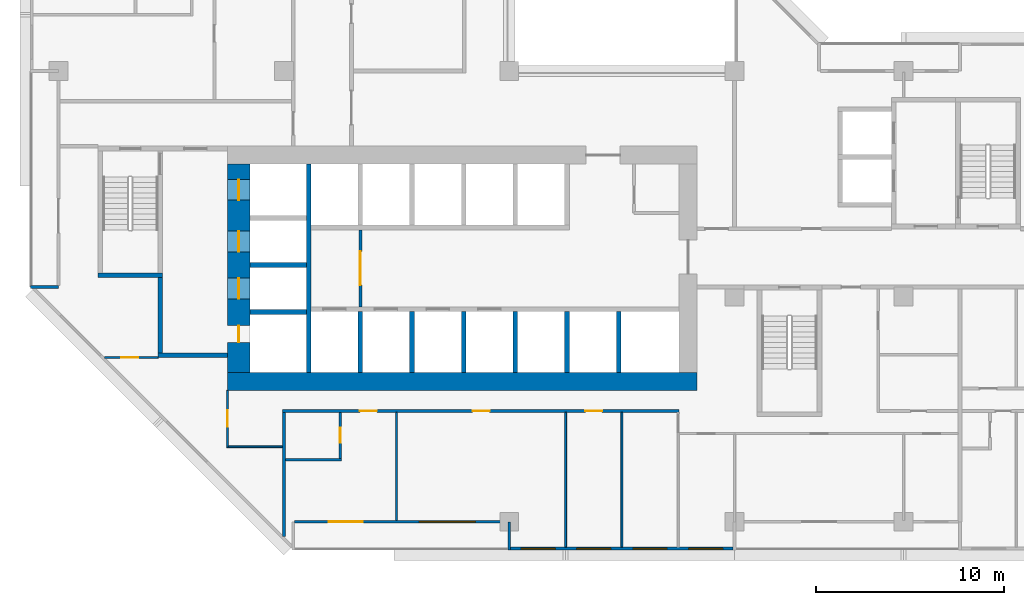
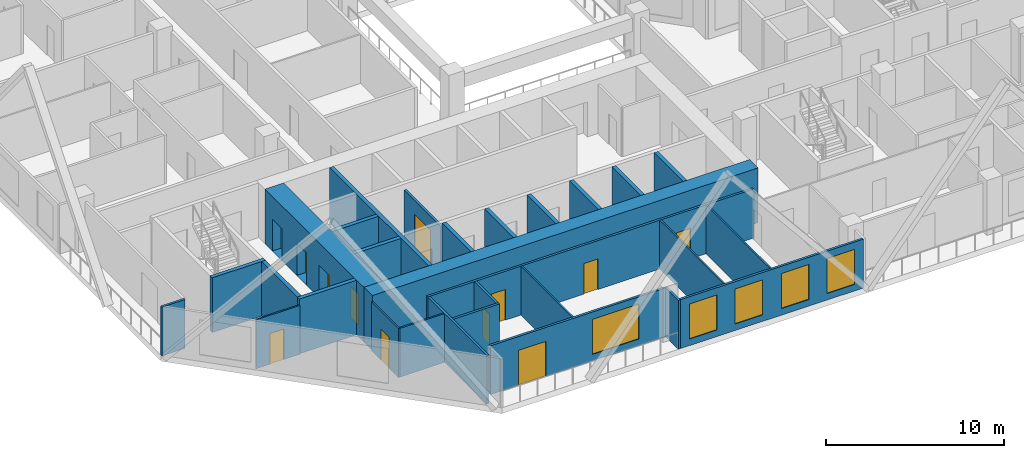
# One storey, part 4 of 15: 29 walls, 12 doors, 5 windows, 17 openings.
"""IFC4 building model written with IfcOpenShell, lengths in metres."""

from ifc_helpers import new_model, si_unit, direction, frame, frame_2d, origin, place, context, subcontext, project, spatial, rectangle, extrude, material, layer, layer_set, type_object, element, fill, save


model = new_model("IFC4")

# Units and contexts
model_context = context("Model", 3, precision=1e-05, world=origin(), true_north=direction((0.0, 1.0)))
body_context = subcontext(model_context, "Body", "Model", "MODEL_VIEW")
ifc_project = project(units=[si_unit("LENGTHUNIT", "METRE"), si_unit("AREAUNIT", "SQUARE_METRE"), si_unit("VOLUMEUNIT", "CUBIC_METRE"), si_unit("PLANEANGLEUNIT", "RADIAN"), si_unit("MASSUNIT", "GRAM", prefix="KILO")], contexts=[model_context])

# Site, building, storey
site_placement = place(None, origin())
site = spatial("IfcSite", under=ifc_project, at=site_placement, CompositionType="ELEMENT")
building_placement = place(site_placement, origin())
building = spatial("IfcBuilding", under=site, at=building_placement, Name="Chenar Terraces", CompositionType="ELEMENT")
storey_placement = place(building_placement, frame((0.0, 0.0, 129.39990234375)))
storey = spatial("IfcBuildingStorey", under=building, at=storey_placement, Name="L30", CompositionType="ELEMENT", Elevation=129.39990234375)

# Wall, opening, door
ifc_material_1 = material(Name="Gypsum board on steel studs", Category="steel")
ifc_layer_1 = layer(ifc_material_1, 0.14990234375)
ifc_layer_set_1 = layer_set([ifc_layer_1], Name="Gypsum board on steel studs")
wall_type_1 = type_object("IfcWallType", Name="Core partition 150 gypsum board", PredefinedType="PARTITIONING", material=ifc_layer_set_1)
wall_1_placement = place(storey_placement, frame((16.074951171875, 11.449951171875, 0.0), z_axis=(0.0, 0.0, 1.0), x_axis=(0.0, 1.0, 0.0)))
wall_1 = element("IfcWall", 1, at=wall_1_placement, inside=storey, type_object=wall_type_1, Name="Core partition CP1 lift lobby smoke stop", PredefinedType="PARTITIONING", context=body_context, shape_type="SweptSolid", body=[
    extrude(rectangle(XDim=4.10009765625, YDim=0.14990234375, at=frame_2d((2.050048828125, 0.0))), origin(), (0.0, 0.0, 1.0), 3.35009765625),
])
opening_1_placement = place(wall_1_placement, frame((1.14990234375, 0.0, 0.0)))
opening_1 = element("IfcOpeningElement", 2, at=opening_1_placement, cuts=wall_1, Name="Opening DL30-C12", PredefinedType="OPENING", context=body_context, shape_type="SweptSolid", body=[
    extrude(rectangle(XDim=1.800048828125, YDim=2.39990234375, at=frame_2d((0.89990234375, 1.199951171875))), frame((0.0, 0.0849609375, 0.0), z_axis=(0.0, -1.0, 0.0), x_axis=(1.0, 0.0, 0.0)), (0.0, 0.0, 1.0), 0.169921875),
])
ifc_material_2 = material(Name="Steel-framed fire-resisting door leaf", Category="steel")
door_type_1 = type_object("IfcDoorType", Name="Core entrance double fire door FD60 1800 x 2400", OperationType="DOUBLE_DOOR_SINGLE_SWING", PredefinedType="DOOR", material=ifc_material_2)
door_1_placement = place(opening_1_placement, origin())
door_1 = element("IfcDoor", 3, at=door_1_placement, inside=storey, type_object=door_type_1, Name="Core door DL30-C12", OperationType="DOUBLE_DOOR_SINGLE_SWING", OverallHeight=2.39990234375, OverallWidth=1.800048828125, PredefinedType="DOOR", context=body_context, shape_type="SweptSolid", body=[
    extrude(rectangle(XDim=1.800048828125, YDim=2.39990234375, at=frame_2d((0.89990234375, 1.199951171875))), frame((0.0, 0.02490234375, 0.0), z_axis=(0.0, -1.0, 0.0), x_axis=(1.0, 0.0, 0.0)), (0.0, 0.0, 1.0), 0.050048828125),
])
fill(opening_1, door_1)

# Wall, openings, doors
ifc_material_3 = material(Name="Concrete C70/85", Category="concrete")
ifc_layer_2 = layer(ifc_material_3, 1.199951171875)
ifc_layer_set_2 = layer_set([ifc_layer_2], Name="Concrete C70/85")
wall_type_2 = type_object("IfcWallType", Name="Core wall 1200 Concrete C70/85", PredefinedType="SHEAR", material=ifc_layer_set_2)
wall_2_placement = place(storey_placement, frame((9.60009765625, 7.949951171875, 0.0), z_axis=(0.0, 0.0, 1.0), x_axis=(0.0, 1.0, 0.0)))
wall_2 = element("IfcWall", 4, at=wall_2_placement, inside=storey, type_object=wall_type_2, Name="Core wall W L30", PredefinedType="SHEAR", context=body_context, shape_type="SweptSolid", body=[
    extrude(rectangle(XDim=11.10009765625, YDim=1.199951171875, at=frame_2d((5.550048828125, 0.0))), origin(), (0.0, 0.0, 1.0), 3.75),
])
opening_2_placement = place(wall_2_placement, frame((3.925048828125, 0.0, 0.0)))
opening_2 = element("IfcOpeningElement", 5, at=opening_2_placement, cuts=wall_2, Name="Opening DL30-LD5", PredefinedType="OPENING", context=body_context, shape_type="SweptSolid", body=[
    extrude(rectangle(XDim=1.10009765625, YDim=2.199951171875, at=frame_2d((0.550048828125, 1.10009765625))), frame((0.0, 0.60986328125, 0.0), z_axis=(0.0, -1.0, 0.0), x_axis=(1.0, 0.0, 0.0)), (0.0, 0.0, 1.0), 1.219970703125),
])
opening_3_placement = place(wall_2_placement, frame((6.425048828125, 0.0, 0.0)))
opening_3 = element("IfcOpeningElement", 6, at=opening_3_placement, cuts=wall_2, Name="Opening DL30-LD6", PredefinedType="OPENING", context=body_context, shape_type="SweptSolid", body=[
    extrude(rectangle(XDim=1.10009765625, YDim=2.199951171875, at=frame_2d((0.550048828125, 1.10009765625))), frame((0.0, 0.60986328125, 0.0), z_axis=(0.0, -1.0, 0.0), x_axis=(1.0, 0.0, 0.0)), (0.0, 0.0, 1.0), 1.219970703125),
])
opening_4_placement = place(wall_2_placement, frame((9.175048828125, 0.0, 0.0)))
opening_4 = element("IfcOpeningElement", 7, at=opening_4_placement, cuts=wall_2, Name="Opening DL30-LD7", PredefinedType="OPENING", context=body_context, shape_type="SweptSolid", body=[
    extrude(rectangle(XDim=1.10009765625, YDim=2.199951171875, at=frame_2d((0.550048828125, 1.10009765625))), frame((0.0, 0.60986328125, 0.0), z_axis=(0.0, -1.0, 0.0), x_axis=(1.0, 0.0, 0.0)), (0.0, 0.0, 1.0), 1.219970703125),
])
opening_5_placement = place(wall_2_placement, frame((1.60009765625, 0.0, 0.0)))
opening_5 = element("IfcOpeningElement", 8, at=opening_5_placement, cuts=wall_2, Name="Opening DL30-C4", PredefinedType="OPENING", context=body_context, shape_type="SweptSolid", body=[
    extrude(rectangle(XDim=0.89990234375, YDim=2.10009765625, at=frame_2d((0.449951171875, 1.050048828125))), frame((0.0, 0.60986328125, 0.0), z_axis=(0.0, -1.0, 0.0), x_axis=(1.0, 0.0, 0.0)), (0.0, 0.0, 1.0), 1.219970703125),
])
ifc_material_4 = material(Name="Stainless steel", Category="steel")
door_type_2 = type_object("IfcDoorType", Name="Lift landing door 1100 x 2200 sliding", OperationType="DOUBLE_DOOR_SLIDING", PredefinedType="DOOR", material=ifc_material_4)
door_2_placement = place(opening_2_placement, origin())
door_2 = element("IfcDoor", 9, at=door_2_placement, inside=storey, type_object=door_type_2, Name="Landing door S1", OperationType="DOUBLE_DOOR_SLIDING", OverallHeight=2.199951171875, OverallWidth=1.10009765625, PredefinedType="DOOR", context=body_context, shape_type="SweptSolid", body=[
    extrude(rectangle(XDim=1.10009765625, YDim=2.199951171875, at=frame_2d((0.550048828125, 1.10009765625))), frame((0.0, 0.02490234375, 0.0), z_axis=(0.0, -1.0, 0.0), x_axis=(1.0, 0.0, 0.0)), (0.0, 0.0, 1.0), 0.050048828125),
])
fill(opening_2, door_2)
door_3_placement = place(opening_3_placement, origin())
door_3 = element("IfcDoor", 10, at=door_3_placement, inside=storey, type_object=door_type_2, Name="Landing door F1", OperationType="DOUBLE_DOOR_SLIDING", OverallHeight=2.199951171875, OverallWidth=1.10009765625, PredefinedType="DOOR", context=body_context, shape_type="SweptSolid", body=[
    extrude(rectangle(XDim=1.10009765625, YDim=2.199951171875, at=frame_2d((0.550048828125, 1.10009765625))), frame((0.0, 0.02490234375, 0.0), z_axis=(0.0, -1.0, 0.0), x_axis=(1.0, 0.0, 0.0)), (0.0, 0.0, 1.0), 0.050048828125),
])
fill(opening_3, door_3)
door_4_placement = place(opening_4_placement, origin())
door_4 = element("IfcDoor", 11, at=door_4_placement, inside=storey, type_object=door_type_2, Name="Landing door F2", OperationType="DOUBLE_DOOR_SLIDING", OverallHeight=2.199951171875, OverallWidth=1.10009765625, PredefinedType="DOOR", context=body_context, shape_type="SweptSolid", body=[
    extrude(rectangle(XDim=1.10009765625, YDim=2.199951171875, at=frame_2d((0.550048828125, 1.10009765625))), frame((0.0, 0.02490234375, 0.0), z_axis=(0.0, -1.0, 0.0), x_axis=(1.0, 0.0, 0.0)), (0.0, 0.0, 1.0), 0.050048828125),
])
fill(opening_4, door_4)
ifc_material_5 = material(Name="Steel-framed fire-resisting door leaf", Category="steel")
door_type_3 = type_object("IfcDoorType", Name="Riser fire door FD60 900 x 2100", OperationType="SINGLE_SWING_LEFT", PredefinedType="DOOR", material=ifc_material_5)
door_5_placement = place(opening_5_placement, frame((0.89990234375, 0.0, 0.0), z_axis=(0.0, 0.0, 1.0), x_axis=(-1.0, 0.0, 0.0)))
door_5 = element("IfcDoor", 12, at=door_5_placement, inside=storey, type_object=door_type_3, Name="Riser door DL30-C4", OperationType="SINGLE_SWING_LEFT", OverallHeight=2.10009765625, OverallWidth=0.89990234375, PredefinedType="DOOR", context=body_context, shape_type="SweptSolid", body=[
    extrude(rectangle(XDim=0.89990234375, YDim=2.10009765625, at=frame_2d((0.449951171875, 1.050048828125))), frame((0.0, 0.02490234375, 0.0), z_axis=(0.0, -1.0, 0.0), x_axis=(1.0, 0.0, 0.0)), (0.0, 0.0, 1.0), 0.050048828125),
])
fill(opening_5, door_5)

# Walls
ifc_material_6 = material(Name="Concrete C70/85", Category="concrete")
ifc_layer_3 = layer(ifc_material_6, 0.25)
ifc_layer_set_3 = layer_set([ifc_layer_3], Name="Concrete C70/85")
wall_type_3 = type_object("IfcWallType", Name="Core wall 250 Concrete C70/85", PredefinedType="SHEAR", material=ifc_layer_set_3)
wall_3_placement = place(storey_placement, frame((13.324951171875, 7.949951171875, 0.0), z_axis=(0.0, 0.0, 1.0), x_axis=(0.0, 1.0, 0.0)))
element("IfcWall", 13, at=wall_3_placement, inside=storey, type_object=wall_type_3, Name="Core wall WI L30", PredefinedType="SHEAR", context=body_context, shape_type="SweptSolid", body=[
    extrude(rectangle(XDim=11.10009765625, YDim=0.25, at=frame_2d((5.550048828125, 0.0))), origin(), (0.0, 0.0, 1.0), 3.75),
])
for number, where, z_axis, x_axis, name in (
    (14, (10.199951171875, 11.175048828125, 0.0), (0.0, 0.0, 1.0), (1.0, 0.0, 0.0), "Core wall HW0 L30"),
    (15, (10.199951171875, 13.675048828125, 0.0), (0.0, 0.0, 1.0), (1.0, 0.0, 0.0), "Core wall HW1 L30"),
):
    element("IfcWall", number, at=place(storey_placement, frame(where, z_axis=z_axis, x_axis=x_axis)), inside=storey, type_object=wall_type_3, Name=name, PredefinedType="SHEAR", context=body_context, shape_type="SweptSolid", body=[
        extrude(rectangle(XDim=3.0, YDim=0.25, at=frame_2d((1.5, 0.0))), origin(), (0.0, 0.0, 1.0), 3.75),
    ])
for number, where, z_axis, x_axis, name in (
    (16, (16.074951171875, 7.949951171875, 0.0), (0.0, 0.0, 1.0), (0.0, 1.0, 0.0), "Core wall SS0 L30"),
    (17, (18.824951171875, 7.949951171875, 0.0), (0.0, 0.0, 1.0), (0.0, 1.0, 0.0), "Core wall SS1 L30"),
    (18, (21.574951171875, 7.949951171875, 0.0), (0.0, 0.0, 1.0), (0.0, 1.0, 0.0), "Core wall SS2 L30"),
    (19, (24.324951171875, 7.949951171875, 0.0), (0.0, 0.0, 1.0), (0.0, 1.0, 0.0), "Core wall SS3 L30"),
    (20, (27.074951171875, 7.949951171875, 0.0), (0.0, 0.0, 1.0), (0.0, 1.0, 0.0), "Core wall SS4 L30"),
    (21, (29.824951171875, 7.949951171875, 0.0), (0.0, 0.0, 1.0), (0.0, 1.0, 0.0), "Core wall SS5 L30"),
):
    element("IfcWall", number, at=place(storey_placement, frame(where, z_axis=z_axis, x_axis=x_axis)), inside=storey, type_object=wall_type_3, Name=name, PredefinedType="SHEAR", context=body_context, shape_type="SweptSolid", body=[
        extrude(rectangle(XDim=3.25, YDim=0.25, at=frame_2d((1.625, 0.0))), origin(), (0.0, 0.0, 1.0), 3.75),
    ])
wall_4_placement = place(storey_placement, frame((2.10009765625, 13.125, 0.0), z_axis=(0.0, 0.0, 1.0), x_axis=(1.0, 0.0, 0.0)))
element("IfcWall", 22, at=wall_4_placement, inside=storey, type_object=wall_type_3, Name="Core wall ST1_S L30", PredefinedType="SHEAR", context=body_context, shape_type="SweptSolid", body=[
    extrude(rectangle(XDim=3.449951171875, YDim=0.25, at=frame_2d((1.72509765625, 0.0))), origin(), (0.0, 0.0, 1.0), 3.75),
])
wall_5_placement = place(storey_placement, frame((5.300048828125, 8.875, 0.0), z_axis=(0.0, 0.0, 1.0), x_axis=(1.0, 0.0, 0.0)))
element("IfcWall", 23, at=wall_5_placement, inside=storey, type_object=wall_type_3, Name="Core wall FFL_S L30", PredefinedType="SHEAR", context=body_context, shape_type="SweptSolid", body=[
    extrude(rectangle(XDim=3.699951171875, YDim=0.25, at=frame_2d((1.85009765625, 0.0))), origin(), (0.0, 0.0, 1.0), 3.75),
])
wall_6_placement = place(storey_placement, frame((5.425048828125, 9.0, 0.0), z_axis=(0.0, 0.0, 1.0), x_axis=(0.0, 1.0, 0.0)))
element("IfcWall", 24, at=wall_6_placement, inside=storey, type_object=wall_type_3, Name="Core wall FFL_W L30", PredefinedType="SHEAR", context=body_context, shape_type="SweptSolid", body=[
    extrude(rectangle(XDim=4.0, YDim=0.25, at=frame_2d((2.0, 0.0))), origin(), (0.0, 0.0, 1.0), 3.75),
])
ifc_material_7 = material(Name="Concrete C70/85", Category="concrete")
ifc_layer_4 = layer(ifc_material_7, 0.949951171875)
ifc_layer_set_4 = layer_set([ifc_layer_4], Name="Concrete C70/85")
wall_type_4 = type_object("IfcWallType", Name="Core wall 950 Concrete C70/85", PredefinedType="SHEAR", material=ifc_layer_set_4)
wall_7_placement = place(storey_placement, frame((9.0, 7.47509765625, 0.0), z_axis=(0.0, 0.0, 1.0), x_axis=(1.0, 0.0, 0.0)))
element("IfcWall", 25, at=wall_7_placement, inside=storey, type_object=wall_type_4, Name="Core wall S L30", PredefinedType="SHEAR", context=body_context, shape_type="SweptSolid", body=[
    extrude(rectangle(XDim=25.0, YDim=0.949951171875, at=frame_2d((12.5, 0.0))), origin(), (0.0, 0.0, 1.0), 3.75),
])

# Wall, openings, windows
ifc_material_8 = material(Name="Aluminium framed glazing", Category="aluminium")
ifc_layer_5 = layer(ifc_material_8, 0.14990234375)
ifc_layer_set_5 = layer_set([ifc_layer_5], Name="Aluminium framed glazing")
wall_type_5 = type_object("IfcWallType", Name="Glazed flush facade wall 150", PredefinedType="SOLIDWALL", material=ifc_layer_set_5)
wall_8_placement = place(storey_placement, frame((24.074951171875, -1.425048828125, 0.0), z_axis=(0.0, 0.0, 1.0), x_axis=(1.0, 0.0, 0.0)))
wall_8 = element("IfcWall", 26, at=wall_8_placement, inside=storey, type_object=wall_type_5, Name="Glazed flush facade wall", PredefinedType="SOLIDWALL", context=body_context, shape_type="SweptSolid", body=[
    extrude(rectangle(XDim=11.85009765625, YDim=0.14990234375, at=frame_2d((5.925048828125, 0.0))), origin(), (0.0, 0.0, 1.0), 3.35009765625),
])
opening_6_placement = place(wall_8_placement, frame((0.5625, 0.0, 0.449951171875)))
opening_6 = element("IfcOpeningElement", 27, at=opening_6_placement, cuts=wall_8, Name="Opening W180x240", PredefinedType="OPENING", context=body_context, shape_type="SweptSolid", body=[
    extrude(rectangle(XDim=1.800048828125, YDim=2.39990234375, at=frame_2d((0.89990234375, 1.199951171875))), frame((0.0, 0.0849609375, 0.0), z_axis=(0.0, -1.0, 0.0), x_axis=(1.0, 0.0, 0.0)), (0.0, 0.0, 1.0), 0.169921875),
])
opening_7_placement = place(wall_8_placement, frame((3.52490234375, 0.0, 0.449951171875)))
opening_7 = element("IfcOpeningElement", 28, at=opening_7_placement, cuts=wall_8, Name="Opening W180x240", PredefinedType="OPENING", context=body_context, shape_type="SweptSolid", body=[
    extrude(rectangle(XDim=1.800048828125, YDim=2.39990234375, at=frame_2d((0.89990234375, 1.199951171875))), frame((0.0, 0.0849609375, 0.0), z_axis=(0.0, -1.0, 0.0), x_axis=(1.0, 0.0, 0.0)), (0.0, 0.0, 1.0), 0.169921875),
])
opening_8_placement = place(wall_8_placement, frame((6.52490234375, 0.0, 0.449951171875)))
opening_8 = element("IfcOpeningElement", 29, at=opening_8_placement, cuts=wall_8, Name="Opening W180x240", PredefinedType="OPENING", context=body_context, shape_type="SweptSolid", body=[
    extrude(rectangle(XDim=1.800048828125, YDim=2.39990234375, at=frame_2d((0.89990234375, 1.199951171875))), frame((0.0, 0.0849609375, 0.0), z_axis=(0.0, -1.0, 0.0), x_axis=(1.0, 0.0, 0.0)), (0.0, 0.0, 1.0), 0.169921875),
])
opening_9_placement = place(wall_8_placement, frame((9.487548828125, 0.0, 0.449951171875)))
opening_9 = element("IfcOpeningElement", 30, at=opening_9_placement, cuts=wall_8, Name="Opening W180x240", PredefinedType="OPENING", context=body_context, shape_type="SweptSolid", body=[
    extrude(rectangle(XDim=1.800048828125, YDim=2.39990234375, at=frame_2d((0.89990234375, 1.199951171875))), frame((0.0, 0.0849609375, 0.0), z_axis=(0.0, -1.0, 0.0), x_axis=(1.0, 0.0, 0.0)), (0.0, 0.0, 1.0), 0.169921875),
])
ifc_material_9 = material(Name="Low emissivity double glazing, aluminium frame", Category="aluminium")
window_type_1 = type_object("IfcWindowType", Name="Fixed light 1800 x 2400", PartitioningType="SINGLE_PANEL", PredefinedType="WINDOW", material=ifc_material_9)
window_1_placement = place(opening_6_placement, origin())
window_1 = element("IfcWindow", 31, at=window_1_placement, inside=storey, type_object=window_type_1, Name="Window", OverallHeight=2.39990234375, OverallWidth=1.800048828125, PartitioningType="SINGLE_PANEL", PredefinedType="WINDOW", context=body_context, shape_type="SweptSolid", body=[
    extrude(rectangle(XDim=1.800048828125, YDim=2.39990234375, at=frame_2d((0.89990234375, 1.199951171875))), frame((0.0, 0.030029296875, 0.0), z_axis=(0.0, -1.0, 0.0), x_axis=(1.0, 0.0, 0.0)), (0.0, 0.0, 1.0), 0.06005859375),
])
fill(opening_6, window_1)
window_2_placement = place(opening_7_placement, origin())
window_2 = element("IfcWindow", 32, at=window_2_placement, inside=storey, type_object=window_type_1, Name="Window", OverallHeight=2.39990234375, OverallWidth=1.800048828125, PartitioningType="SINGLE_PANEL", PredefinedType="WINDOW", context=body_context, shape_type="SweptSolid", body=[
    extrude(rectangle(XDim=1.800048828125, YDim=2.39990234375, at=frame_2d((0.89990234375, 1.199951171875))), frame((0.0, 0.030029296875, 0.0), z_axis=(0.0, -1.0, 0.0), x_axis=(1.0, 0.0, 0.0)), (0.0, 0.0, 1.0), 0.06005859375),
])
fill(opening_7, window_2)
window_3_placement = place(opening_8_placement, origin())
window_3 = element("IfcWindow", 33, at=window_3_placement, inside=storey, type_object=window_type_1, Name="Window", OverallHeight=2.39990234375, OverallWidth=1.800048828125, PartitioningType="SINGLE_PANEL", PredefinedType="WINDOW", context=body_context, shape_type="SweptSolid", body=[
    extrude(rectangle(XDim=1.800048828125, YDim=2.39990234375, at=frame_2d((0.89990234375, 1.199951171875))), frame((0.0, 0.030029296875, 0.0), z_axis=(0.0, -1.0, 0.0), x_axis=(1.0, 0.0, 0.0)), (0.0, 0.0, 1.0), 0.06005859375),
])
fill(opening_8, window_3)
window_4_placement = place(opening_9_placement, origin())
window_4 = element("IfcWindow", 34, at=window_4_placement, inside=storey, type_object=window_type_1, Name="Window", OverallHeight=2.39990234375, OverallWidth=1.800048828125, PartitioningType="SINGLE_PANEL", PredefinedType="WINDOW", context=body_context, shape_type="SweptSolid", body=[
    extrude(rectangle(XDim=1.800048828125, YDim=2.39990234375, at=frame_2d((0.89990234375, 1.199951171875))), frame((0.0, 0.030029296875, 0.0), z_axis=(0.0, -1.0, 0.0), x_axis=(1.0, 0.0, 0.0)), (0.0, 0.0, 1.0), 0.06005859375),
])
fill(opening_9, window_4)

# Wall, openings, window, door
ifc_material_10 = material(Name="Aluminium framed glazing", Category="aluminium")
ifc_layer_6 = layer(ifc_material_10, 0.14990234375)
ifc_layer_set_6 = layer_set([ifc_layer_6], Name="Aluminium framed glazing")
wall_type_6 = type_object("IfcWallType", Name="Glazed loggia back wall 150", PredefinedType="SOLIDWALL", material=ifc_layer_set_6)
wall_9_placement = place(storey_placement, frame((12.574951171875, 0.0, 0.0), z_axis=(0.0, 0.0, 1.0), x_axis=(1.0, 0.0, 0.0)))
wall_9 = element("IfcWall", 35, at=wall_9_placement, inside=storey, type_object=wall_type_6, Name="Glazed loggia back wall", PredefinedType="SOLIDWALL", context=body_context, shape_type="SweptSolid", body=[
    extrude(rectangle(XDim=11.35009765625, YDim=0.14990234375, at=frame_2d((5.675048828125, 0.0))), origin(), (0.0, 0.0, 1.0), 3.35009765625),
])
opening_10_placement = place(wall_9_placement, frame((1.8125, 0.0, 0.0)))
opening_10 = element("IfcOpeningElement", 36, at=opening_10_placement, cuts=wall_9, Name="Opening DL30-G5", PredefinedType="OPENING", context=body_context, shape_type="SweptSolid", body=[
    extrude(rectangle(XDim=1.800048828125, YDim=2.39990234375, at=frame_2d((0.89990234375, 1.199951171875))), frame((0.0, 0.0849609375, 0.0), z_axis=(0.0, -1.0, 0.0), x_axis=(1.0, 0.0, 0.0)), (0.0, 0.0, 1.0), 0.169921875),
])
opening_11_placement = place(wall_9_placement, frame((6.625, 0.0, 0.449951171875)))
opening_11 = element("IfcOpeningElement", 37, at=opening_11_placement, cuts=wall_9, Name="Opening W300x240", PredefinedType="OPENING", context=body_context, shape_type="SweptSolid", body=[
    extrude(rectangle(XDim=3.0, YDim=2.39990234375, at=frame_2d((1.5, 1.199951171875))), frame((0.0, 0.0849609375, 0.0), z_axis=(0.0, -1.0, 0.0), x_axis=(1.0, 0.0, 0.0)), (0.0, 0.0, 1.0), 0.169921875),
])
ifc_material_11 = material(Name="Low emissivity double glazing, aluminium frame", Category="aluminium")
window_type_2 = type_object("IfcWindowType", Name="Fixed light 3000 x 2400", PartitioningType="SINGLE_PANEL", PredefinedType="WINDOW", material=ifc_material_11)
window_5_placement = place(opening_11_placement, origin())
window_5 = element("IfcWindow", 38, at=window_5_placement, inside=storey, type_object=window_type_2, Name="Window", OverallHeight=2.39990234375, OverallWidth=3.0, PartitioningType="SINGLE_PANEL", PredefinedType="WINDOW", context=body_context, shape_type="SweptSolid", body=[
    extrude(rectangle(XDim=3.0, YDim=2.39990234375, at=frame_2d((1.5, 1.199951171875))), frame((0.0, 0.030029296875, 0.0), z_axis=(0.0, -1.0, 0.0), x_axis=(1.0, 0.0, 0.0)), (0.0, 0.0, 1.0), 0.06005859375),
])
fill(opening_11, window_5)
ifc_material_12 = material(Name="Low emissivity double glazing, aluminium frame", Category="aluminium")
door_type_4 = type_object("IfcDoorType", Name="Loggia glazed double door 1800 x 2400", OperationType="DOUBLE_DOOR_SINGLE_SWING", PredefinedType="DOOR", material=ifc_material_12)
door_6_placement = place(opening_10_placement, frame((1.800048828125, 0.0, 0.0), z_axis=(0.0, 0.0, 1.0), x_axis=(-1.0, 0.0, 0.0)))
door_6 = element("IfcDoor", 39, at=door_6_placement, inside=storey, type_object=door_type_4, Name="Loggia glazed door", OperationType="DOUBLE_DOOR_SINGLE_SWING", OverallHeight=2.39990234375, OverallWidth=1.800048828125, PredefinedType="DOOR", context=body_context, shape_type="SweptSolid", body=[
    extrude(rectangle(XDim=1.800048828125, YDim=2.39990234375, at=frame_2d((0.89990234375, 1.199951171875))), frame((0.0, 0.02490234375, 0.0), z_axis=(0.0, -1.0, 0.0), x_axis=(1.0, 0.0, 0.0)), (0.0, 0.0, 1.0), 0.050048828125),
])
fill(opening_10, door_6)

# Wall, opening, door
ifc_material_13 = material(Name="Gypsum board on steel studs", Category="steel")
ifc_layer_7 = layer(ifc_material_13, 0.10009765625)
ifc_layer_set_7 = layer_set([ifc_layer_7], Name="Gypsum board on steel studs")
wall_type_7 = type_object("IfcWallType", Name="Gypsum partition 100", PredefinedType="PARTITIONING", material=ifc_layer_set_7)
wall_10_placement = place(storey_placement, frame((2.4609375, 8.75, 0.0), z_axis=(0.0, 0.0, 1.0), x_axis=(1.0, 0.0, 0.0)))
wall_10 = element("IfcWall", 40, at=wall_10_placement, inside=storey, type_object=wall_type_7, Name="Partition L30-010", PredefinedType="PARTITIONING", context=body_context, shape_type="SweptSolid", body=[
    extrude(rectangle(XDim=2.839111328125, YDim=0.10009765625, at=frame_2d((1.41943359375, 0.0))), origin(), (0.0, 0.0, 1.0), 3.35009765625),
])
opening_12_placement = place(wall_10_placement, frame((0.888916015625, 0.0, 0.0)))
opening_12 = element("IfcOpeningElement", 41, at=opening_12_placement, cuts=wall_10, Name="Opening DL30-61", PredefinedType="OPENING", context=body_context, shape_type="SweptSolid", body=[
    extrude(rectangle(XDim=0.89990234375, YDim=2.10009765625, at=frame_2d((0.449951171875, 1.050048828125))), frame((0.0, 0.06005859375, 0.0), z_axis=(0.0, -1.0, 0.0), x_axis=(1.0, 0.0, 0.0)), (0.0, 0.0, 1.0), 0.1201171875),
])
ifc_material_14 = material(Name="Veneered timber door leaf", Category="wood")
door_type_5 = type_object("IfcDoorType", Name="Door 900 x 2100", OperationType="SINGLE_SWING_LEFT", PredefinedType="DOOR", material=ifc_material_14)
door_7_placement = place(opening_12_placement, frame((0.89990234375, 0.0, 0.0), z_axis=(0.0, 0.0, 1.0), x_axis=(-1.0, 0.0, 0.0)))
door_7 = element("IfcDoor", 42, at=door_7_placement, inside=storey, type_object=door_type_5, Name="Door DL30-61", OperationType="SINGLE_SWING_RIGHT", OverallHeight=2.10009765625, OverallWidth=0.89990234375, PredefinedType="DOOR", context=body_context, shape_type="SweptSolid", body=[
    extrude(rectangle(XDim=0.89990234375, YDim=2.10009765625, at=frame_2d((0.449951171875, 1.050048828125))), frame((0.0, 0.02490234375, 0.0), z_axis=(0.0, -1.0, 0.0), x_axis=(1.0, 0.0, 0.0)), (0.0, 0.0, 1.0), 0.050048828125),
])
fill(opening_12, door_7)

wall_11_placement = place(storey_placement, frame((9.0, 3.949951171875, 0.0), z_axis=(0.0, 0.0, 1.0), x_axis=(0.0, 1.0, 0.0)))
wall_11 = element("IfcWall", 43, at=wall_11_placement, inside=storey, type_object=wall_type_7, Name="Partition L30-030", PredefinedType="PARTITIONING", context=body_context, shape_type="SweptSolid", body=[
    extrude(rectangle(XDim=3.050048828125, YDim=0.10009765625, at=frame_2d((1.52490234375, 0.0))), origin(), (0.0, 0.0, 1.0), 3.35009765625),
])
opening_13_placement = place(wall_11_placement, frame((1.10009765625, 0.0, 0.0)))
opening_13 = element("IfcOpeningElement", 44, at=opening_13_placement, cuts=wall_11, Name="Opening DL30-60", PredefinedType="OPENING", context=body_context, shape_type="SweptSolid", body=[
    extrude(rectangle(XDim=0.89990234375, YDim=2.10009765625, at=frame_2d((0.449951171875, 1.050048828125))), frame((0.0, 0.06005859375, 0.0), z_axis=(0.0, -1.0, 0.0), x_axis=(1.0, 0.0, 0.0)), (0.0, 0.0, 1.0), 0.1201171875),
])
door_8_placement = place(opening_13_placement, origin())
door_8 = element("IfcDoor", 45, at=door_8_placement, inside=storey, type_object=door_type_5, Name="Door DL30-60", OperationType="SINGLE_SWING_LEFT", OverallHeight=2.10009765625, OverallWidth=0.89990234375, PredefinedType="DOOR", context=body_context, shape_type="SweptSolid", body=[
    extrude(rectangle(XDim=0.89990234375, YDim=2.10009765625, at=frame_2d((0.449951171875, 1.050048828125))), frame((0.0, 0.02490234375, 0.0), z_axis=(0.0, -1.0, 0.0), x_axis=(1.0, 0.0, 0.0)), (0.0, 0.0, 1.0), 0.050048828125),
])
fill(opening_13, door_8)

# Walls
wall_12_placement = place(storey_placement, frame((9.050048828125, 4.0, 0.0), z_axis=(0.0, 0.0, 1.0), x_axis=(1.0, 0.0, 0.0)))
element("IfcWall", 46, at=wall_12_placement, inside=storey, type_object=wall_type_7, Name="Partition L30-031", PredefinedType="PARTITIONING", context=body_context, shape_type="SweptSolid", body=[
    extrude(rectangle(XDim=2.875, YDim=0.10009765625, at=frame_2d((1.4375, 0.0))), origin(), (0.0, 0.0, 1.0), 3.35009765625),
])
wall_13_placement = place(storey_placement, frame((18.0, 0.073974609375, 0.0), z_axis=(0.0, 0.0, 1.0), x_axis=(0.0, 1.0, 0.0)))
element("IfcWall", 47, at=wall_13_placement, inside=storey, type_object=wall_type_7, Name="Partition L30-048", PredefinedType="PARTITIONING", context=body_context, shape_type="SweptSolid", body=[
    extrude(rectangle(XDim=5.7509765625, YDim=0.10009765625, at=frame_2d((2.87548828125, 0.0))), origin(), (0.0, 0.0, 1.0), 3.35009765625),
])
wall_14_placement = place(storey_placement, frame((27.0, -1.35009765625, 0.0), z_axis=(0.0, 0.0, 1.0), x_axis=(0.0, 1.0, 0.0)))
element("IfcWall", 48, at=wall_14_placement, inside=storey, type_object=wall_type_7, Name="Partition L30-058", PredefinedType="PARTITIONING", context=body_context, shape_type="SweptSolid", body=[
    extrude(rectangle(XDim=7.175048828125, YDim=0.10009765625, at=frame_2d((3.58740234375, 0.0))), origin(), (0.0, 0.0, 1.0), 3.35009765625),
])
wall_15_placement = place(storey_placement, frame((30.0, -1.35107421875, 0.0), z_axis=(0.0, 0.0, 1.0), x_axis=(0.0, 1.0, 0.0)))
element("IfcWall", 49, at=wall_15_placement, inside=storey, type_object=wall_type_7, Name="Partition L30-059", PredefinedType="PARTITIONING", context=body_context, shape_type="SweptSolid", body=[
    extrude(rectangle(XDim=7.176025390625, YDim=0.10009765625, at=frame_2d((3.587890625, 0.0))), origin(), (0.0, 0.0, 1.0), 3.35009765625),
])
ifc_material_15 = material(Name="Terracotta cladding on insulated backing", Category="masonry")
ifc_layer_8 = layer(ifc_material_15, 0.14990234375)
ifc_layer_set_8 = layer_set([ifc_layer_8], Name="Terracotta cladding on insulated backing")
wall_type_8 = type_object("IfcWallType", Name="Loggia return wall 150", PredefinedType="SOLIDWALL", material=ifc_layer_set_8)
for number, where, z_axis, x_axis, name in (
    (50, (-1.5, 12.5, 0.0), (0.0, 0.0, 1.0), (1.0, 0.0, 0.0), "Loggia return wall"),
    (51, (24.0, -1.5, 0.0), (0.0, 0.0, 1.0), (0.0, 1.0, 0.0), "Loggia return wall"),
):
    element("IfcWall", number, at=place(storey_placement, frame(where, z_axis=z_axis, x_axis=x_axis)), inside=storey, type_object=wall_type_8, Name=name, PredefinedType="SOLIDWALL", context=body_context, shape_type="SweptSolid", body=[
        extrude(rectangle(XDim=1.5, YDim=0.14990234375, at=frame_2d((0.75, 0.0))), origin(), (0.0, 0.0, 1.0), 3.35009765625),
    ])

# Wall, openings, doors
ifc_material_16 = material(Name="Moisture-resistant gypsum board on steel studs", Category="steel")
ifc_layer_9 = layer(ifc_material_16, 0.14990234375)
ifc_layer_set_9 = layer_set([ifc_layer_9], Name="Moisture-resistant gypsum board on steel studs")
wall_type_9 = type_object("IfcWallType", Name="Wet-room partition 150", PredefinedType="PARTITIONING", material=ifc_layer_set_9)
wall_16_placement = place(storey_placement, frame((11.925048828125, 5.89990234375, 0.0), z_axis=(0.0, 0.0, 1.0), x_axis=(1.0, 0.0, 0.0)))
wall_16 = element("IfcWall", 52, at=wall_16_placement, inside=storey, type_object=wall_type_9, Name="Partition L30-032", PredefinedType="PARTITIONING", context=body_context, shape_type="SweptSolid", body=[
    extrude(rectangle(XDim=21.125, YDim=0.14990234375, at=frame_2d((10.5625, 0.0))), origin(), (0.0, 0.0, 1.0), 3.35009765625),
])
opening_14_placement = place(wall_16_placement, frame((16.125, 0.0, 0.0)))
opening_14 = element("IfcOpeningElement", 53, at=opening_14_placement, cuts=wall_16, Name="Opening DL30-56", PredefinedType="OPENING", context=body_context, shape_type="SweptSolid", body=[
    extrude(rectangle(XDim=0.89990234375, YDim=2.10009765625, at=frame_2d((0.449951171875, 1.050048828125))), frame((0.0, 0.0849609375, 0.0), z_axis=(0.0, -1.0, 0.0), x_axis=(1.0, 0.0, 0.0)), (0.0, 0.0, 1.0), 0.169921875),
])
opening_15_placement = place(wall_16_placement, frame((4.125, 0.0, 0.0)))
opening_15 = element("IfcOpeningElement", 54, at=opening_15_placement, cuts=wall_16, Name="Opening DL30-62", PredefinedType="OPENING", context=body_context, shape_type="SweptSolid", body=[
    extrude(rectangle(XDim=0.89990234375, YDim=2.10009765625, at=frame_2d((0.449951171875, 1.050048828125))), frame((0.0, 0.0849609375, 0.0), z_axis=(0.0, -1.0, 0.0), x_axis=(1.0, 0.0, 0.0)), (0.0, 0.0, 1.0), 0.169921875),
])
opening_16_placement = place(wall_16_placement, frame((10.125, 0.0, 0.0)))
opening_16 = element("IfcOpeningElement", 55, at=opening_16_placement, cuts=wall_16, Name="Opening DL30-66", PredefinedType="OPENING", context=body_context, shape_type="SweptSolid", body=[
    extrude(rectangle(XDim=0.89990234375, YDim=2.10009765625, at=frame_2d((0.449951171875, 1.050048828125))), frame((0.0, 0.0849609375, 0.0), z_axis=(0.0, -1.0, 0.0), x_axis=(1.0, 0.0, 0.0)), (0.0, 0.0, 1.0), 0.169921875),
])
door_9_placement = place(opening_14_placement, frame((0.89990234375, 0.0, 0.0), z_axis=(0.0, 0.0, 1.0), x_axis=(-1.0, 0.0, 0.0)))
door_9 = element("IfcDoor", 56, at=door_9_placement, inside=storey, type_object=door_type_5, Name="Door DL30-56", OperationType="SINGLE_SWING_RIGHT", OverallHeight=2.10009765625, OverallWidth=0.89990234375, PredefinedType="DOOR", context=body_context, shape_type="SweptSolid", body=[
    extrude(rectangle(XDim=0.89990234375, YDim=2.10009765625, at=frame_2d((0.449951171875, 1.050048828125))), frame((0.0, 0.02490234375, 0.0), z_axis=(0.0, -1.0, 0.0), x_axis=(1.0, 0.0, 0.0)), (0.0, 0.0, 1.0), 0.050048828125),
])
fill(opening_14, door_9)
door_10_placement = place(opening_15_placement, frame((0.89990234375, 0.0, 0.0), z_axis=(0.0, 0.0, 1.0), x_axis=(-1.0, 0.0, 0.0)))
door_10 = element("IfcDoor", 57, at=door_10_placement, inside=storey, type_object=door_type_5, Name="Door DL30-62", OperationType="SINGLE_SWING_RIGHT", OverallHeight=2.10009765625, OverallWidth=0.89990234375, PredefinedType="DOOR", context=body_context, shape_type="SweptSolid", body=[
    extrude(rectangle(XDim=0.89990234375, YDim=2.10009765625, at=frame_2d((0.449951171875, 1.050048828125))), frame((0.0, 0.02490234375, 0.0), z_axis=(0.0, -1.0, 0.0), x_axis=(1.0, 0.0, 0.0)), (0.0, 0.0, 1.0), 0.050048828125),
])
fill(opening_15, door_10)
door_11_placement = place(opening_16_placement, frame((0.89990234375, 0.0, 0.0), z_axis=(0.0, 0.0, 1.0), x_axis=(-1.0, 0.0, 0.0)))
door_11 = element("IfcDoor", 58, at=door_11_placement, inside=storey, type_object=door_type_5, Name="Door DL30-66", OperationType="SINGLE_SWING_RIGHT", OverallHeight=2.10009765625, OverallWidth=0.89990234375, PredefinedType="DOOR", context=body_context, shape_type="SweptSolid", body=[
    extrude(rectangle(XDim=0.89990234375, YDim=2.10009765625, at=frame_2d((0.449951171875, 1.050048828125))), frame((0.0, 0.02490234375, 0.0), z_axis=(0.0, -1.0, 0.0), x_axis=(1.0, 0.0, 0.0)), (0.0, 0.0, 1.0), 0.050048828125),
])
fill(opening_16, door_11)

# Walls
wall_17_placement = place(storey_placement, frame((12.0, -0.787841796875, 0.0), z_axis=(0.0, 0.0, 1.0), x_axis=(0.0, 1.0, 0.0)))
element("IfcWall", 59, at=wall_17_placement, inside=storey, type_object=wall_type_9, Name="Partition L30-033", PredefinedType="PARTITIONING", context=body_context, shape_type="SweptSolid", body=[
    extrude(rectangle(XDim=6.61279296875, YDim=0.14990234375, at=frame_2d((3.306396484375, 0.0))), origin(), (0.0, 0.0, 1.0), 3.35009765625),
])
wall_18_placement = place(storey_placement, frame((12.074951171875, 3.300048828125, 0.0), z_axis=(0.0, 0.0, 1.0), x_axis=(1.0, 0.0, 0.0)))
element("IfcWall", 60, at=wall_18_placement, inside=storey, type_object=wall_type_9, Name="Partition L30-034", PredefinedType="PARTITIONING", context=body_context, shape_type="SweptSolid", body=[
    extrude(rectangle(XDim=3.0, YDim=0.14990234375, at=frame_2d((1.5, 0.0))), origin(), (0.0, 0.0, 1.0), 3.35009765625),
])

# Wall, opening, door
wall_19_placement = place(storey_placement, frame((15.0, 3.375, 0.0), z_axis=(0.0, 0.0, 1.0), x_axis=(0.0, 1.0, 0.0)))
wall_19 = element("IfcWall", 61, at=wall_19_placement, inside=storey, type_object=wall_type_9, Name="Partition L30-036", PredefinedType="PARTITIONING", context=body_context, shape_type="SweptSolid", body=[
    extrude(rectangle(XDim=2.449951171875, YDim=0.14990234375, at=frame_2d((1.22509765625, 0.0))), origin(), (0.0, 0.0, 1.0), 3.35009765625),
])
opening_17_placement = place(wall_19_placement, frame((0.824951171875, 0.0, 0.0)))
opening_17 = element("IfcOpeningElement", 62, at=opening_17_placement, cuts=wall_19, Name="Opening DL30-63", PredefinedType="OPENING", context=body_context, shape_type="SweptSolid", body=[
    extrude(rectangle(XDim=0.800048828125, YDim=2.10009765625, at=frame_2d((0.39990234375, 1.050048828125))), frame((0.0, 0.0849609375, 0.0), z_axis=(0.0, -1.0, 0.0), x_axis=(1.0, 0.0, 0.0)), (0.0, 0.0, 1.0), 0.169921875),
])
ifc_material_17 = material(Name="Veneered timber door leaf", Category="wood")
door_type_6 = type_object("IfcDoorType", Name="Door 800 x 2100", OperationType="SINGLE_SWING_LEFT", PredefinedType="DOOR", material=ifc_material_17)
door_12_placement = place(opening_17_placement, origin())
door_12 = element("IfcDoor", 63, at=door_12_placement, inside=storey, type_object=door_type_6, Name="Door DL30-63", OperationType="SINGLE_SWING_RIGHT", OverallHeight=2.10009765625, OverallWidth=0.800048828125, PredefinedType="DOOR", context=body_context, shape_type="SweptSolid", body=[
    extrude(rectangle(XDim=0.800048828125, YDim=2.10009765625, at=frame_2d((0.39990234375, 1.050048828125))), frame((0.0, 0.02490234375, 0.0), z_axis=(0.0, -1.0, 0.0), x_axis=(1.0, 0.0, 0.0)), (0.0, 0.0, 1.0), 0.050048828125),
])
fill(opening_17, door_12)

save(model, "model.ifc")
